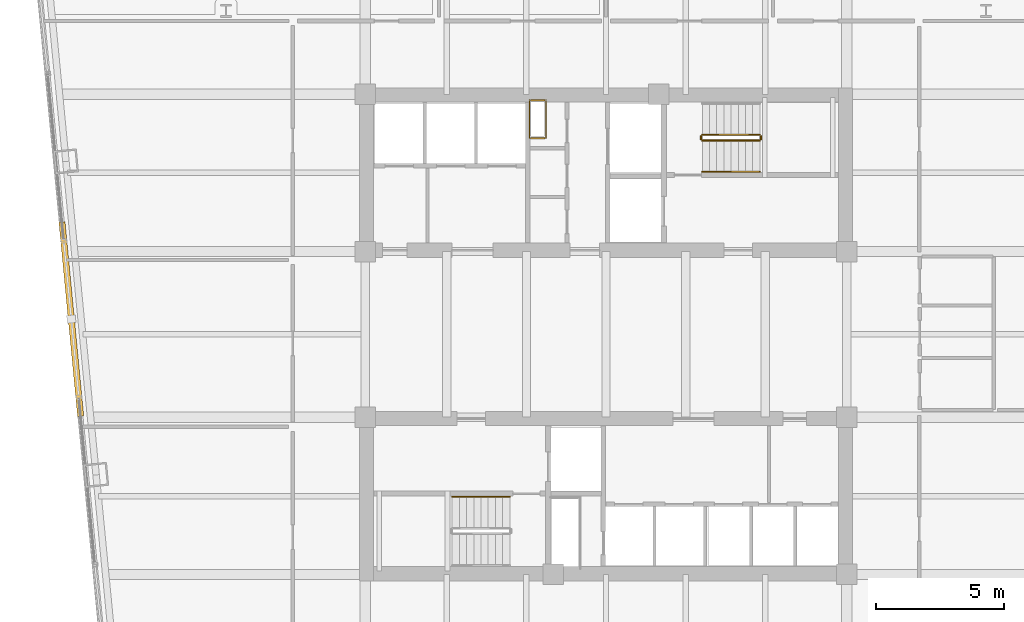
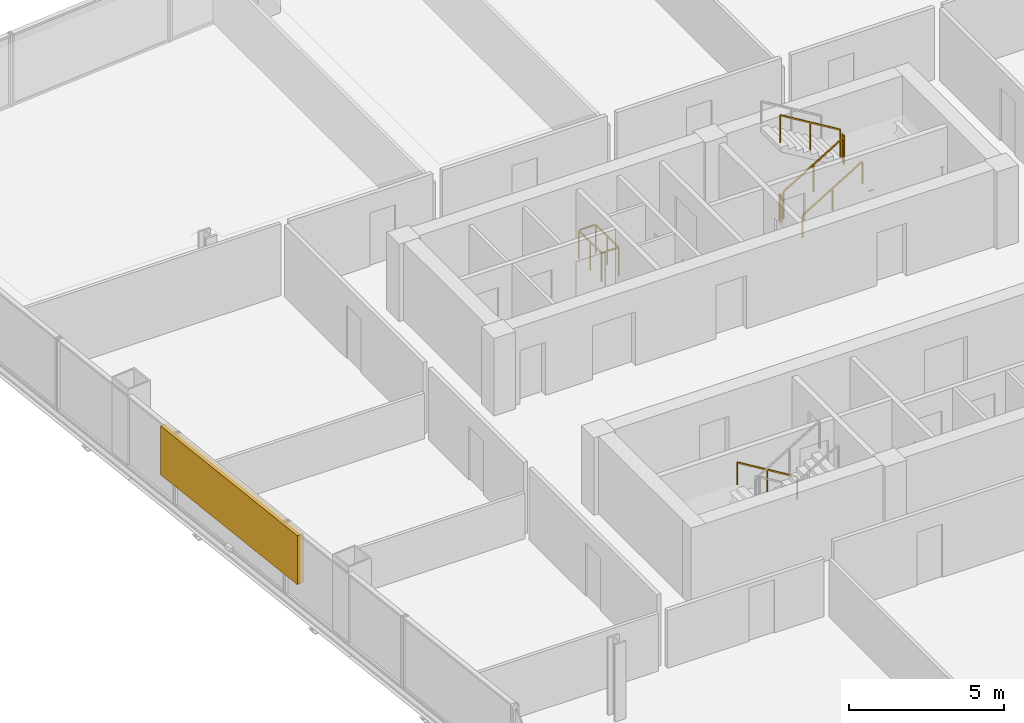
# One storey, part 27 of 28: 7 railings, 1 shading device.
"""IFC4 building model written with IfcOpenShell, lengths in metres."""

from ifc_helpers import new_model, si_unit, direction, frame, origin, origin_2d, place, context, subcontext, project, spatial, rectangle, extrude, material, type_object, element, save


model = new_model("IFC4")

# Units and contexts
model_context = context("Model", 3, precision=1e-05, world=origin(), true_north=direction((0.0, 1.0)))
body_context = subcontext(model_context, "Body", "Model", "MODEL_VIEW")
ifc_project = project(units=[si_unit("LENGTHUNIT", "METRE"), si_unit("AREAUNIT", "SQUARE_METRE"), si_unit("VOLUMEUNIT", "CUBIC_METRE"), si_unit("PLANEANGLEUNIT", "RADIAN"), si_unit("MASSUNIT", "GRAM", prefix="KILO")], contexts=[model_context])

# Site, building, storey
site_placement = place(None, origin())
site = spatial("IfcSite", under=ifc_project, at=site_placement, CompositionType="ELEMENT")
building_placement = place(site_placement, origin())
building = spatial("IfcBuilding", under=site, at=building_placement, Name="Qhalaya Broadcast Tower", CompositionType="ELEMENT")
storey_placement = place(building_placement, frame((0.0, 0.0, 90.800048828125)))
storey = spatial("IfcBuildingStorey", under=building, at=storey_placement, Name="L26", CompositionType="ELEMENT", Elevation=90.800048828125)

# Railings
ifc_material_1 = material(Name="Powder-Coated Galvanised Steel", Category="steel")
railing_type_1 = type_object("IfcRailingType", Name="Stair Wall Handrail 900", PredefinedType="HANDRAIL", material=ifc_material_1)
railing_1_placement = place(storey_placement, frame((3.75, 6.929931640625, 0.16943359375)))
element("IfcRailing", 1, at=railing_1_placement, inside=storey, type_object=railing_type_1, Name="L26 ST-1 Stair Handrail 1", PredefinedType="HANDRAIL", context=body_context, shape_type="SweptSolid", body=[
    extrude(rectangle(XDim=0.048095703125, YDim=0.048095703125, at=origin_2d()), frame((0.0, 0.0, 0.8759765625), z_axis=(0.855553338991, 0.0, 0.51771467445), x_axis=(0.0, 1.0, 0.0)), (0.0, 0.0, 1.0), 2.6181640625),
    extrude(rectangle(XDim=0.0419921875, YDim=0.0419921875, at=origin_2d()), origin(), (0.0, 0.0, 1.0), 0.849853515625),
    extrude(rectangle(XDim=0.0419921875, YDim=0.0419921875, at=origin_2d()), frame((1.1201171875, 0.0, 0.677734375)), (0.0, 0.0, 1.0), 0.849853515625),
    extrude(rectangle(XDim=0.0419921875, YDim=0.0419921875, at=origin_2d()), frame((2.239990234375, 0.0, 1.35546875)), (0.0, 0.0, 1.0), 0.849853515625),
])
railing_2_placement = place(storey_placement, frame((-3.75, -5.72998046875, 0.16943359375)))
element("IfcRailing", 2, at=railing_2_placement, inside=storey, type_object=railing_type_1, Name="L26 ST-2 Stair Handrail 1", PredefinedType="HANDRAIL", context=body_context, shape_type="SweptSolid", body=[
    extrude(rectangle(XDim=0.048095703125, YDim=0.048095703125, at=origin_2d()), frame((0.0, 0.0, 0.8759765625), z_axis=(-0.855553338991, 0.0, 0.51771467445), x_axis=(0.0, -1.0, 0.0)), (0.0, 0.0, 1.0), 2.6181640625),
    extrude(rectangle(XDim=0.0419921875, YDim=0.0419921875, at=origin_2d()), origin(), (0.0, 0.0, 1.0), 0.849853515625),
    extrude(rectangle(XDim=0.0419921875, YDim=0.0419921875, at=origin_2d()), frame((-1.1201171875, 0.0, 0.677734375)), (0.0, 0.0, 1.0), 0.849853515625),
    extrude(rectangle(XDim=0.0419921875, YDim=0.0419921875, at=origin_2d()), frame((-2.239990234375, 0.0, 1.35546875)), (0.0, 0.0, 1.0), 0.849853515625),
])
railing_type_2 = type_object("IfcRailingType", Name="Stair Well & Landing Guardrail 1100", PredefinedType="GUARDRAIL", material=ifc_material_1)
railing_3_placement = place(storey_placement, frame((-2.340087890625, 8.239990234375, 0.0)))
element("IfcRailing", 3, at=railing_3_placement, inside=storey, type_object=railing_type_2, Name="L26 Service Riser Opening Safety Guard NRSR", PredefinedType="GUARDRAIL", context=body_context, shape_type="SweptSolid", body=[
    extrude(rectangle(XDim=0.048095703125, YDim=0.048095703125, at=origin_2d()), frame((0.0, 0.02880859375, 1.1259765625), z_axis=(0.0, 1.0, 0.0), x_axis=(-1.0, 0.0, 0.0)), (0.0, 0.0, 1.0), 1.42236328125),
    extrude(rectangle(XDim=0.048095703125, YDim=0.048095703125, at=origin_2d()), frame((-0.02880859375, 1.47998046875, 1.1259765625), z_axis=(-1.0, 0.0, 0.0), x_axis=(0.0, -1.0, 0.0)), (0.0, 0.0, 1.0), 0.582275390625),
    extrude(rectangle(XDim=0.048095703125, YDim=0.048095703125, at=origin_2d()), frame((-0.639892578125, 1.451171875, 1.1259765625), z_axis=(0.0, -1.0, 0.0), x_axis=(1.0, 0.0, 0.0)), (0.0, 0.0, 1.0), 1.42236328125),
    extrude(rectangle(XDim=0.048095703125, YDim=0.048095703125, at=origin_2d()), frame((-0.611083984375, 0.0, 1.1259765625), z_axis=(1.0, 0.0, 0.0), x_axis=(0.0, 1.0, 0.0)), (0.0, 0.0, 1.0), 0.582275390625),
    extrude(rectangle(XDim=0.0419921875, YDim=0.0419921875, at=origin_2d()), origin(), (0.0, 0.0, 1.0), 1.099853515625),
    extrude(rectangle(XDim=0.0419921875, YDim=0.0419921875, at=origin_2d()), frame((0.0, 0.739990234375, 0.0)), (0.0, 0.0, 1.0), 1.099853515625),
    extrude(rectangle(XDim=0.0419921875, YDim=0.0419921875, at=origin_2d()), frame((0.0, 1.47998046875, 0.0)), (0.0, 0.0, 1.0), 1.099853515625),
    extrude(rectangle(XDim=0.0419921875, YDim=0.0419921875, at=origin_2d()), frame((-0.639892578125, 1.47998046875, 0.0)), (0.0, 0.0, 1.0), 1.099853515625),
    extrude(rectangle(XDim=0.0419921875, YDim=0.0419921875, at=origin_2d()), frame((-0.639892578125, 0.739990234375, 0.0)), (0.0, 0.0, 1.0), 1.099853515625),
    extrude(rectangle(XDim=0.0419921875, YDim=0.0419921875, at=origin_2d()), frame((-0.639892578125, 0.0, 0.0)), (0.0, 0.0, 1.0), 1.099853515625),
])
railing_4_placement = place(storey_placement, frame((3.75, 8.14990234375, 0.16943359375)))
element("IfcRailing", 4, at=railing_4_placement, inside=storey, type_object=railing_type_2, Name="L26 ST-1 Stair Guard 1", PredefinedType="GUARDRAIL", context=body_context, shape_type="SweptSolid", body=[
    extrude(rectangle(XDim=0.048095703125, YDim=0.048095703125, at=origin_2d()), frame((0.0, 0.0, 1.076171875), z_axis=(0.855553338991, 0.0, 0.51771467445), x_axis=(0.0, 1.0, 0.0)), (0.0, 0.0, 1.0), 2.6181640625),
    extrude(rectangle(XDim=0.0419921875, YDim=0.0419921875, at=origin_2d()), origin(), (0.0, 0.0, 1.0), 1.050048828125),
    extrude(rectangle(XDim=0.0419921875, YDim=0.0419921875, at=origin_2d()), frame((1.1201171875, 0.0, 0.677734375)), (0.0, 0.0, 1.0), 1.050048828125),
    extrude(rectangle(XDim=0.0419921875, YDim=0.0419921875, at=origin_2d()), frame((2.239990234375, 0.0, 1.35546875)), (0.0, 0.0, 1.0), 1.050048828125),
])
railing_5_placement = place(storey_placement, frame((6.0400390625, 8.199951171875, 1.52490234375)))
element("IfcRailing", 5, at=railing_5_placement, inside=storey, type_object=railing_type_2, Name="L26 ST-1 Stair Guard 2", PredefinedType="GUARDRAIL", context=body_context, shape_type="SweptSolid", body=[
    extrude(rectangle(XDim=0.048095703125, YDim=0.048095703125, at=origin_2d()), frame((0.0, 0.0, 1.076171875), z_axis=(0.0, 1.0, 0.0), x_axis=(-1.0, 0.0, 0.0)), (0.0, 0.0, 1.0), 0.1201171875),
    extrude(rectangle(XDim=0.0419921875, YDim=0.0419921875, at=origin_2d()), origin(), (0.0, 0.0, 1.0), 1.050048828125),
    extrude(rectangle(XDim=0.0419921875, YDim=0.0419921875, at=origin_2d()), frame((0.0, 0.1201171875, 0.0)), (0.0, 0.0, 1.0), 1.050048828125),
])
railing_6_placement = place(storey_placement, frame((5.989990234375, 8.3701171875, 1.6943359375)))
element("IfcRailing", 6, at=railing_6_placement, inside=storey, type_object=railing_type_2, Name="L26 ST-1 Stair Guard 3", PredefinedType="GUARDRAIL", context=body_context, shape_type="SweptSolid", body=[
    extrude(rectangle(XDim=0.048095703125, YDim=0.048095703125, at=origin_2d()), frame((0.0, 0.0, 1.076171875), z_axis=(-0.855512035549, 0.0, 0.517782924622), x_axis=(0.0, -1.0, 0.0)), (0.0, 0.0, 1.0), 2.618408203125),
    extrude(rectangle(XDim=0.0419921875, YDim=0.0419921875, at=origin_2d()), origin(), (0.0, 0.0, 1.0), 1.050048828125),
    extrude(rectangle(XDim=0.0419921875, YDim=0.0419921875, at=origin_2d()), frame((-1.1201171875, 0.0, 0.677734375)), (0.0, 0.0, 1.0), 1.050048828125),
    extrude(rectangle(XDim=0.0419921875, YDim=0.0419921875, at=origin_2d()), frame((-2.239990234375, 0.0, 1.355712890625)), (0.0, 0.0, 1.0), 1.050048828125),
])
railing_7_placement = place(storey_placement, frame((3.699951171875, 8.199951171875, 0.0)))
element("IfcRailing", 7, at=railing_7_placement, inside=storey, type_object=railing_type_2, Name="L26 ST-1 Stair Guard 4", PredefinedType="GUARDRAIL", context=body_context, shape_type="SweptSolid", body=[
    extrude(rectangle(XDim=0.048095703125, YDim=0.048095703125, at=origin_2d()), frame((0.0, 0.0, 1.076171875), z_axis=(0.0, 1.0, 0.0), x_axis=(-1.0, 0.0, 0.0)), (0.0, 0.0, 1.0), 0.1201171875),
    extrude(rectangle(XDim=0.0419921875, YDim=0.0419921875, at=origin_2d()), origin(), (0.0, 0.0, 1.0), 1.050048828125),
    extrude(rectangle(XDim=0.0419921875, YDim=0.0419921875, at=origin_2d()), frame((0.0, 0.1201171875, 0.0)), (0.0, 0.0, 1.0), 1.050048828125),
])

# Shading device
ifc_material_2 = material(Name="Fired Architectural Terracotta", Category="masonry")
shading_device_type = type_object("IfcShadingDeviceType", Name="Terracotta Baguette Solar Screen Assembly TBS-01", PredefinedType="USERDEFINED", material=ifc_material_2)
shading_device_placement = place(storey_placement, frame((-20.827392578125, 1.193603515625, 0.79248046875), z_axis=(0.0, 0.0, 1.0), x_axis=(0.09584575252, -0.995396198367, 0.0)))
element("IfcShadingDevice", 8, at=shading_device_placement, inside=storey, type_object=shading_device_type, Name="L26 Fired Terracotta Baguette Screen W", ObjectType="BAGUETTE", PredefinedType="USERDEFINED", context=body_context, shape_type="SweptSolid", body=[
    extrude(rectangle(XDim=7.60009765625, YDim=0.239990234375, at=origin_2d()), origin(), (0.0, 0.0, 1.0), 1.924072265625),
])

save(model, "model.ifc")
